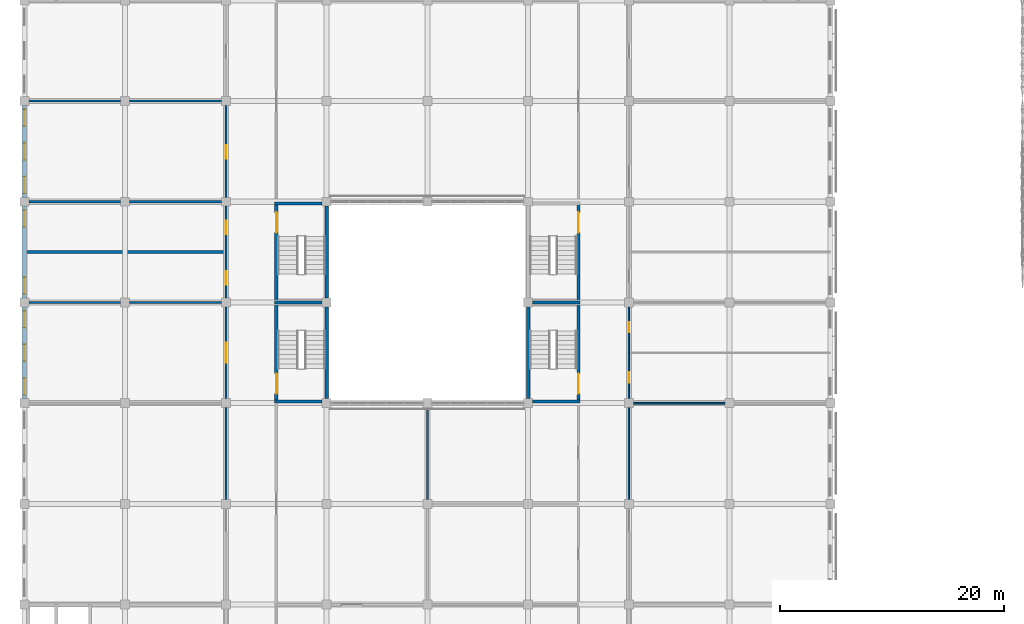
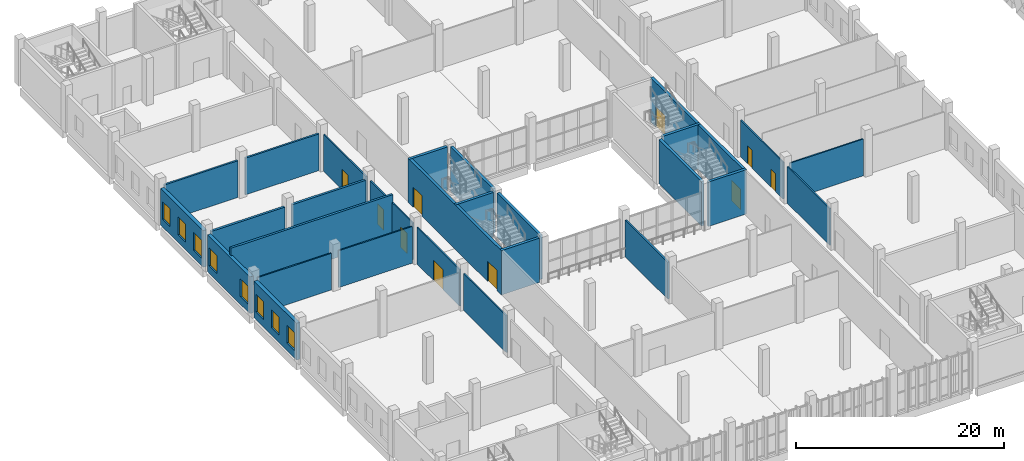
# One storey, part 106 of 185: 28 walls, 10 doors, 8 windows, 18 openings.
"""IFC4 building model written with IfcOpenShell, lengths in metres."""

from ifc_helpers import new_model, si_unit, direction, frame, frame_2d, origin, place, context, subcontext, project, spatial, rectangle, extrude, material, layer, layer_set, type_object, element, fill, save


model = new_model("IFC4")

# Units and contexts
model_context = context("Model", 3, precision=1e-05, world=origin(), true_north=direction((0.0, 1.0)))
body_context = subcontext(model_context, "Body", "Model", "MODEL_VIEW")
ifc_project = project(units=[si_unit("LENGTHUNIT", "METRE"), si_unit("AREAUNIT", "SQUARE_METRE"), si_unit("VOLUMEUNIT", "CUBIC_METRE"), si_unit("PLANEANGLEUNIT", "RADIAN"), si_unit("MASSUNIT", "GRAM", prefix="KILO")], contexts=[model_context])

# Site, building, storey
site_placement = place(None, origin())
site = spatial("IfcSite", under=ifc_project, at=site_placement, CompositionType="ELEMENT")
building_placement = place(site_placement, origin())
building = spatial("IfcBuilding", under=site, at=building_placement, Name="Opaline Strait Convention Centre", CompositionType="ELEMENT")
storey_placement = place(building_placement, frame((0.0, 0.0, 6.0)))
storey = spatial("IfcBuildingStorey", under=building, at=storey_placement, Name="L01", CompositionType="ELEMENT", Elevation=6.0)

# Walls
ifc_material_1 = material(Name="Gypsum board on metal studs with mineral wool")
ifc_layer_1 = layer(ifc_material_1, 0.25)
ifc_layer_set_1 = layer_set([ifc_layer_1], Name="Gypsum board on metal studs with mineral wool")
wall_type_1 = type_object("IfcWallType", Name="Acoustic partition 250", PredefinedType="PARTITIONING", material=ifc_layer_set_1)
wall_1_placement = place(storey_placement, frame((9.0, 58.5, 0.0), z_axis=(0.0, 0.0, 1.0), x_axis=(1.0, 0.0, 0.0)))
element("IfcWall", 1, at=wall_1_placement, inside=storey, type_object=wall_type_1, Name="L01 partition", PredefinedType="PARTITIONING", context=body_context, shape_type="SweptSolid", body=[
    extrude(rectangle(XDim=18.0, YDim=0.25, at=frame_2d((9.0, 0.0))), origin(), (0.0, 0.0, 1.0), 5.219970703125),
])
for number, where, z_axis, x_axis, name in (
    (2, (9.39990234375, 63.0, 0.0), (0.0, 0.0, 1.0), (1.0, 0.0, 0.0), "L01 partition"),
    (3, (18.39990234375, 63.0, 0.0), (0.0, 0.0, 1.0), (1.0, 0.0, 0.0), "L01 partition"),
):
    element("IfcWall", number, at=place(storey_placement, frame(where, z_axis=z_axis, x_axis=x_axis)), inside=storey, type_object=wall_type_1, Name=name, PredefinedType="PARTITIONING", context=body_context, shape_type="SweptSolid", body=[
        extrude(rectangle(XDim=8.2001953125, YDim=0.25, at=frame_2d((4.10009765625, 0.0))), origin(), (0.0, 0.0, 1.0), 4.320068359375),
    ])
ifc_layer_2 = layer(ifc_material_1, 0.199951171875)
ifc_layer_set_2 = layer_set([ifc_layer_2], Name="Gypsum board on metal studs with mineral wool")
wall_type_2 = type_object("IfcWallType", Name="Fire partition 200", PredefinedType="PARTITIONING", material=ifc_layer_set_2)
for number, where, z_axis, x_axis, name in (
    (4, (9.39990234375, 72.0, 0.0), (0.0, 0.0, 1.0), (1.0, 0.0, 0.0), "L01 partition"),
    (5, (18.39990234375, 72.0, 0.0), (0.0, 0.0, 1.0), (1.0, 0.0, 0.0), "L01 partition"),
    (6, (45.0, 36.39990234375, 0.0), (0.0, 0.0, 1.0), (0.0, 1.0, 0.0), "L01 partition"),
):
    element("IfcWall", number, at=place(storey_placement, frame(where, z_axis=z_axis, x_axis=x_axis)), inside=storey, type_object=wall_type_2, Name=name, PredefinedType="PARTITIONING", context=body_context, shape_type="SweptSolid", body=[
        extrude(rectangle(XDim=8.2001953125, YDim=0.199951171875, at=frame_2d((4.10009765625, 0.0))), origin(), (0.0, 0.0, 1.0), 4.320068359375),
    ])
ifc_layer_3 = layer(ifc_material_1, 0.14990234375)
ifc_layer_set_3 = layer_set([ifc_layer_3], Name="Gypsum board on metal studs with mineral wool")
wall_type_3 = type_object("IfcWallType", Name="Partition 150", PredefinedType="PARTITIONING", material=ifc_layer_set_3)
for number, where, z_axis, x_axis, name in (
    (7, (63.39990234375, 45.0, 0.0), (0.0, 0.0, 1.0), (1.0, 0.0, 0.0), "L01 partition"),
    (8, (9.39990234375, 54.0, 0.0), (0.0, 0.0, 1.0), (1.0, 0.0, 0.0), "L01 partition"),
    (9, (18.39990234375, 54.0, 0.0), (0.0, 0.0, 1.0), (1.0, 0.0, 0.0), "L01 partition"),
    (10, (27.0, 36.39990234375, 0.0), (0.0, 0.0, 1.0), (0.0, 1.0, 0.0), "L01 partition"),
):
    element("IfcWall", number, at=place(storey_placement, frame(where, z_axis=z_axis, x_axis=x_axis)), inside=storey, type_object=wall_type_3, Name=name, PredefinedType="PARTITIONING", context=body_context, shape_type="SweptSolid", body=[
        extrude(rectangle(XDim=8.2001953125, YDim=0.14990234375, at=frame_2d((4.10009765625, 0.0))), origin(), (0.0, 0.0, 1.0), 4.320068359375),
    ])

# Wall, opening, door
wall_2_placement = place(storey_placement, frame((27.0, 45.39990234375, 0.0), z_axis=(0.0, 0.0, 1.0), x_axis=(0.0, 1.0, 0.0)))
wall_2 = element("IfcWall", 11, at=wall_2_placement, inside=storey, type_object=wall_type_3, Name="L01 partition", PredefinedType="PARTITIONING", context=body_context, shape_type="SweptSolid", body=[
    extrude(rectangle(XDim=8.2001953125, YDim=0.14990234375, at=frame_2d((4.10009765625, 0.0))), origin(), (0.0, 0.0, 1.0), 4.320068359375),
])
opening_1_placement = place(wall_2_placement, frame((3.199951171875, 0.0, 0.0)))
opening_1 = element("IfcOpeningElement", 12, at=opening_1_placement, cuts=wall_2, Name="Opening R1-038", PredefinedType="OPENING", context=body_context, shape_type="SweptSolid", body=[
    extrude(rectangle(XDim=1.800048828125, YDim=2.39990234375, at=frame_2d((0.89990234375, 1.199951171875))), frame((0.0, 0.0849609375, 0.0), z_axis=(0.0, -1.0, 0.0), x_axis=(1.0, 0.0, 0.0)), (0.0, 0.0, 1.0), 0.169921875),
])
ifc_material_2 = material(Name="Timber door leaves in steel frame", Category="steel")
door_type_1 = type_object("IfcDoorType", Name="Door 1800x2400 double FD30", OperationType="DOUBLE_DOOR_SINGLE_SWING", PredefinedType="DOOR", material=ifc_material_2)
door_1_placement = place(opening_1_placement, frame((1.800048828125, 0.0, 0.0), z_axis=(0.0, 0.0, 1.0), x_axis=(-1.0, 0.0, 0.0)))
door_1 = element("IfcDoor", 13, at=door_1_placement, inside=storey, type_object=door_type_1, Name="Private Dining Suite door R1-038", ObjectType="RD2", OperationType="DOUBLE_DOOR_SINGLE_SWING", OverallHeight=2.39990234375, OverallWidth=1.800048828125, PredefinedType="DOOR", context=body_context, shape_type="SweptSolid", body=[
    extrude(rectangle(XDim=1.800048828125, YDim=2.39990234375, at=frame_2d((0.89990234375, 1.199951171875))), frame((0.0, 0.02490234375, 0.0), z_axis=(0.0, -1.0, 0.0), x_axis=(1.0, 0.0, 0.0)), (0.0, 0.0, 1.0), 0.050048828125),
])
fill(opening_1, door_1)

# Wall, openings, doors
wall_3_placement = place(storey_placement, frame((27.0, 54.39990234375, 0.0), z_axis=(0.0, 0.0, 1.0), x_axis=(0.0, 1.0, 0.0)))
wall_3 = element("IfcWall", 14, at=wall_3_placement, inside=storey, type_object=wall_type_3, Name="L01 partition", PredefinedType="PARTITIONING", context=body_context, shape_type="SweptSolid", body=[
    extrude(rectangle(XDim=8.2001953125, YDim=0.14990234375, at=frame_2d((4.10009765625, 0.0))), origin(), (0.0, 0.0, 1.0), 4.320068359375),
])
opening_2_placement = place(wall_3_placement, frame((1.199951171875, 0.0, 0.0)))
opening_2 = element("IfcOpeningElement", 15, at=opening_2_placement, cuts=wall_3, Name="Opening R1-039", PredefinedType="OPENING", context=body_context, shape_type="SweptSolid", body=[
    extrude(rectangle(XDim=1.199951171875, YDim=2.39990234375, at=frame_2d((0.60009765625, 1.199951171875))), frame((0.0, 0.0849609375, 0.0), z_axis=(0.0, -1.0, 0.0), x_axis=(1.0, 0.0, 0.0)), (0.0, 0.0, 1.0), 0.169921875),
])
opening_3_placement = place(wall_3_placement, frame((5.699951171875, 0.0, 0.0)))
opening_3 = element("IfcOpeningElement", 16, at=opening_3_placement, cuts=wall_3, Name="Opening R1-040", PredefinedType="OPENING", context=body_context, shape_type="SweptSolid", body=[
    extrude(rectangle(XDim=1.199951171875, YDim=2.39990234375, at=frame_2d((0.60009765625, 1.199951171875))), frame((0.0, 0.0849609375, 0.0), z_axis=(0.0, -1.0, 0.0), x_axis=(1.0, 0.0, 0.0)), (0.0, 0.0, 1.0), 0.169921875),
])
ifc_material_3 = material(Name="Timber door leaf in steel frame", Category="steel")
door_type_2 = type_object("IfcDoorType", Name="Meeting room door 1200x2400 FD30", OperationType="SINGLE_SWING_LEFT", PredefinedType="DOOR", material=ifc_material_3)
door_2_placement = place(opening_2_placement, origin())
door_2 = element("IfcDoor", 17, at=door_2_placement, inside=storey, type_object=door_type_2, Name="Translation Booths door R1-039", ObjectType="RD14", OperationType="SINGLE_SWING_LEFT", OverallHeight=2.39990234375, OverallWidth=1.199951171875, PredefinedType="DOOR", context=body_context, shape_type="SweptSolid", body=[
    extrude(rectangle(XDim=1.199951171875, YDim=2.39990234375, at=frame_2d((0.60009765625, 1.199951171875))), frame((0.0, 0.02490234375, 0.0), z_axis=(0.0, -1.0, 0.0), x_axis=(1.0, 0.0, 0.0)), (0.0, 0.0, 1.0), 0.050048828125),
])
fill(opening_2, door_2)
door_3_placement = place(opening_3_placement, origin())
door_3 = element("IfcDoor", 18, at=door_3_placement, inside=storey, type_object=door_type_2, Name="Interpreter Briefing Room door R1-040", ObjectType="RD14", OperationType="SINGLE_SWING_LEFT", OverallHeight=2.39990234375, OverallWidth=1.199951171875, PredefinedType="DOOR", context=body_context, shape_type="SweptSolid", body=[
    extrude(rectangle(XDim=1.199951171875, YDim=2.39990234375, at=frame_2d((0.60009765625, 1.199951171875))), frame((0.0, 0.02490234375, 0.0), z_axis=(0.0, -1.0, 0.0), x_axis=(1.0, 0.0, 0.0)), (0.0, 0.0, 1.0), 0.050048828125),
])
fill(opening_3, door_3)

# Wall, opening, door
wall_4_placement = place(storey_placement, frame((27.0, 63.39990234375, 0.0), z_axis=(0.0, 0.0, 1.0), x_axis=(0.0, 1.0, 0.0)))
wall_4 = element("IfcWall", 19, at=wall_4_placement, inside=storey, type_object=wall_type_3, Name="L01 partition", PredefinedType="PARTITIONING", context=body_context, shape_type="SweptSolid", body=[
    extrude(rectangle(XDim=8.2001953125, YDim=0.14990234375, at=frame_2d((4.10009765625, 0.0))), origin(), (0.0, 0.0, 1.0), 4.320068359375),
])
opening_4_placement = place(wall_4_placement, frame((3.449951171875, 0.0, 0.0)))
opening_4 = element("IfcOpeningElement", 20, at=opening_4_placement, cuts=wall_4, Name="Opening R1-041", PredefinedType="OPENING", context=body_context, shape_type="SweptSolid", body=[
    extrude(rectangle(XDim=1.199951171875, YDim=2.39990234375, at=frame_2d((0.60009765625, 1.199951171875))), frame((0.0, 0.0849609375, 0.0), z_axis=(0.0, -1.0, 0.0), x_axis=(1.0, 0.0, 0.0)), (0.0, 0.0, 1.0), 0.169921875),
])
door_4_placement = place(opening_4_placement, frame((1.199951171875, 0.0, 0.0), z_axis=(0.0, 0.0, 1.0), x_axis=(-1.0, 0.0, 0.0)))
door_4 = element("IfcDoor", 21, at=door_4_placement, inside=storey, type_object=door_type_2, Name="Meeting Room 1.01 door R1-041", ObjectType="RD14", OperationType="SINGLE_SWING_LEFT", OverallHeight=2.39990234375, OverallWidth=1.199951171875, PredefinedType="DOOR", context=body_context, shape_type="SweptSolid", body=[
    extrude(rectangle(XDim=1.199951171875, YDim=2.39990234375, at=frame_2d((0.60009765625, 1.199951171875))), frame((0.0, 0.02490234375, 0.0), z_axis=(0.0, -1.0, 0.0), x_axis=(1.0, 0.0, 0.0)), (0.0, 0.0, 1.0), 0.050048828125),
])
fill(opening_4, door_4)

# Wall
wall_5_placement = place(storey_placement, frame((63.0, 36.39990234375, 0.0), z_axis=(0.0, 0.0, 1.0), x_axis=(0.0, 1.0, 0.0)))
element("IfcWall", 22, at=wall_5_placement, inside=storey, type_object=wall_type_3, Name="L01 partition", PredefinedType="PARTITIONING", context=body_context, shape_type="SweptSolid", body=[
    extrude(rectangle(XDim=8.2001953125, YDim=0.14990234375, at=frame_2d((4.10009765625, 0.0))), origin(), (0.0, 0.0, 1.0), 4.320068359375),
])

# Wall, openings, doors
wall_6_placement = place(storey_placement, frame((63.0, 45.39990234375, 0.0), z_axis=(0.0, 0.0, 1.0), x_axis=(0.0, 1.0, 0.0)))
wall_6 = element("IfcWall", 23, at=wall_6_placement, inside=storey, type_object=wall_type_3, Name="L01 partition", PredefinedType="PARTITIONING", context=body_context, shape_type="SweptSolid", body=[
    extrude(rectangle(XDim=8.2001953125, YDim=0.14990234375, at=frame_2d((4.10009765625, 0.0))), origin(), (0.0, 0.0, 1.0), 4.320068359375),
])
opening_5_placement = place(wall_6_placement, frame((1.449951171875, 0.0, 0.0)))
opening_5 = element("IfcOpeningElement", 24, at=opening_5_placement, cuts=wall_6, Name="Opening R1-044", PredefinedType="OPENING", context=body_context, shape_type="SweptSolid", body=[
    extrude(rectangle(XDim=0.89990234375, YDim=2.10009765625, at=frame_2d((0.449951171875, 1.050048828125))), frame((0.0, 0.0849609375, 0.0), z_axis=(0.0, -1.0, 0.0), x_axis=(1.0, 0.0, 0.0)), (0.0, 0.0, 1.0), 0.169921875),
])
opening_6_placement = place(wall_6_placement, frame((5.949951171875, 0.0, 0.0)))
opening_6 = element("IfcOpeningElement", 25, at=opening_6_placement, cuts=wall_6, Name="Opening R1-045", PredefinedType="OPENING", context=body_context, shape_type="SweptSolid", body=[
    extrude(rectangle(XDim=0.89990234375, YDim=2.10009765625, at=frame_2d((0.449951171875, 1.050048828125))), frame((0.0, 0.0849609375, 0.0), z_axis=(0.0, -1.0, 0.0), x_axis=(1.0, 0.0, 0.0)), (0.0, 0.0, 1.0), 0.169921875),
])
door_type_3 = type_object("IfcDoorType", Name="Toilet door 900x2100 FD30", OperationType="SINGLE_SWING_LEFT", PredefinedType="DOOR", material=ifc_material_3)
door_5_placement = place(opening_5_placement, frame((0.89990234375, 0.0, 0.0), z_axis=(0.0, 0.0, 1.0), x_axis=(-1.0, 0.0, 0.0)))
door_5 = element("IfcDoor", 26, at=door_5_placement, inside=storey, type_object=door_type_3, Name="Public Toilets Men door R1-044", ObjectType="RD11", OperationType="SINGLE_SWING_LEFT", OverallHeight=2.10009765625, OverallWidth=0.89990234375, PredefinedType="DOOR", context=body_context, shape_type="SweptSolid", body=[
    extrude(rectangle(XDim=0.89990234375, YDim=2.10009765625, at=frame_2d((0.449951171875, 1.050048828125))), frame((0.0, 0.02490234375, 0.0), z_axis=(0.0, -1.0, 0.0), x_axis=(1.0, 0.0, 0.0)), (0.0, 0.0, 1.0), 0.050048828125),
])
fill(opening_5, door_5)
door_6_placement = place(opening_6_placement, frame((0.89990234375, 0.0, 0.0), z_axis=(0.0, 0.0, 1.0), x_axis=(-1.0, 0.0, 0.0)))
door_6 = element("IfcDoor", 27, at=door_6_placement, inside=storey, type_object=door_type_3, Name="Public Toilets Women door R1-045", ObjectType="RD11", OperationType="SINGLE_SWING_LEFT", OverallHeight=2.10009765625, OverallWidth=0.89990234375, PredefinedType="DOOR", context=body_context, shape_type="SweptSolid", body=[
    extrude(rectangle(XDim=0.89990234375, YDim=2.10009765625, at=frame_2d((0.449951171875, 1.050048828125))), frame((0.0, 0.02490234375, 0.0), z_axis=(0.0, -1.0, 0.0), x_axis=(1.0, 0.0, 0.0)), (0.0, 0.0, 1.0), 0.050048828125),
])
fill(opening_6, door_6)

ifc_material_4 = material(Name="Concrete C40", Category="concrete")
ifc_layer_4 = layer(ifc_material_4, 0.300048828125)
ifc_layer_set_4 = layer_set([ifc_layer_4], Name="Concrete C40")
wall_type_4 = type_object("IfcWallType", Name="RC wall 300 C40", PredefinedType="SOLIDWALL", material=ifc_layer_set_4)
wall_7_placement = place(storey_placement, frame((58.5, 45.0, 0.0), z_axis=(0.0, 0.0, 1.0), x_axis=(0.0, 1.0, 0.0)))
wall_7 = element("IfcWall", 28, at=wall_7_placement, inside=storey, type_object=wall_type_4, Name="ME core SPINE wall", PredefinedType="SOLIDWALL", context=body_context, shape_type="SweptSolid", body=[
    extrude(rectangle(XDim=18.0, YDim=0.300048828125, at=frame_2d((9.0, 0.0))), origin(), (0.0, 0.0, 1.0), 5.219970703125),
])
opening_7_placement = place(wall_7_placement, frame((0.85009765625, 0.0, 0.0)))
opening_7 = element("IfcOpeningElement", 29, at=opening_7_placement, cuts=wall_7, Name="Opening R1-023", PredefinedType="OPENING", context=body_context, shape_type="SweptSolid", body=[
    extrude(rectangle(XDim=1.800048828125, YDim=2.39990234375, at=frame_2d((0.89990234375, 1.199951171875))), frame((0.0, 0.159912109375, 0.0), z_axis=(0.0, -1.0, 0.0), x_axis=(1.0, 0.0, 0.0)), (0.0, 0.0, 1.0), 0.320068359375),
])
opening_8_placement = place(wall_7_placement, frame((15.25, 0.0, 0.0)))
opening_8 = element("IfcOpeningElement", 30, at=opening_8_placement, cuts=wall_7, Name="Opening R1-024", PredefinedType="OPENING", context=body_context, shape_type="SweptSolid", body=[
    extrude(rectangle(XDim=1.800048828125, YDim=2.39990234375, at=frame_2d((0.89990234375, 1.199951171875))), frame((0.0, 0.159912109375, 0.0), z_axis=(0.0, -1.0, 0.0), x_axis=(1.0, 0.0, 0.0)), (0.0, 0.0, 1.0), 0.320068359375),
])
door_type_4 = type_object("IfcDoorType", Name="Stair door 1800x2400 double FD60", OperationType="DOUBLE_DOOR_SINGLE_SWING", PredefinedType="DOOR", material=ifc_material_2)
door_7_placement = place(opening_7_placement, frame((1.800048828125, 0.0, 0.0), z_axis=(0.0, 0.0, 1.0), x_axis=(-1.0, 0.0, 0.0)))
door_7 = element("IfcDoor", 31, at=door_7_placement, inside=storey, type_object=door_type_4, Name="Stair door ME R1-023", ObjectType="RD7", OperationType="DOUBLE_DOOR_SINGLE_SWING", OverallHeight=2.39990234375, OverallWidth=1.800048828125, PredefinedType="DOOR", context=body_context, shape_type="SweptSolid", body=[
    extrude(rectangle(XDim=1.800048828125, YDim=2.39990234375, at=frame_2d((0.89990234375, 1.199951171875))), frame((0.0, 0.02490234375, 0.0), z_axis=(0.0, -1.0, 0.0), x_axis=(1.0, 0.0, 0.0)), (0.0, 0.0, 1.0), 0.050048828125),
])
fill(opening_7, door_7)
door_8_placement = place(opening_8_placement, frame((1.800048828125, 0.0, 0.0), z_axis=(0.0, 0.0, 1.0), x_axis=(-1.0, 0.0, 0.0)))
door_8 = element("IfcDoor", 32, at=door_8_placement, inside=storey, type_object=door_type_4, Name="Stair door ME R1-024", ObjectType="RD7", OperationType="DOUBLE_DOOR_SINGLE_SWING", OverallHeight=2.39990234375, OverallWidth=1.800048828125, PredefinedType="DOOR", context=body_context, shape_type="SweptSolid", body=[
    extrude(rectangle(XDim=1.800048828125, YDim=2.39990234375, at=frame_2d((0.89990234375, 1.199951171875))), frame((0.0, 0.02490234375, 0.0), z_axis=(0.0, -1.0, 0.0), x_axis=(1.0, 0.0, 0.0)), (0.0, 0.0, 1.0), 0.050048828125),
])
fill(opening_8, door_8)

# Walls
wall_8_placement = place(storey_placement, frame((54.0, 45.39990234375, 0.0), z_axis=(0.0, 0.0, 1.0), x_axis=(0.0, 1.0, 0.0)))
element("IfcWall", 33, at=wall_8_placement, inside=storey, type_object=wall_type_4, Name="ME core COURT wall", PredefinedType="SOLIDWALL", context=body_context, shape_type="SweptSolid", body=[
    extrude(rectangle(XDim=8.2001953125, YDim=0.300048828125, at=frame_2d((4.10009765625, 0.0))), origin(), (0.0, 0.0, 1.0), 5.219970703125),
])
for number, where, z_axis, x_axis, name in (
    (34, (54.39990234375, 45.14990234375, 0.0), (0.0, 0.0, 1.0), (1.0, 0.0, 0.0), "ME core S wall"),
    (35, (54.39990234375, 54.0, 0.0), (0.0, 0.0, 1.0), (1.0, 0.0, 0.0), "ME core MID wall"),
):
    element("IfcWall", number, at=place(storey_placement, frame(where, z_axis=z_axis, x_axis=x_axis)), inside=storey, type_object=wall_type_4, Name=name, PredefinedType="SOLIDWALL", context=body_context, shape_type="SweptSolid", body=[
        extrude(rectangle(XDim=4.25, YDim=0.300048828125, at=frame_2d((2.125, 0.0))), origin(), (0.0, 0.0, 1.0), 5.219970703125),
    ])

# Wall, openings, doors
wall_9_placement = place(storey_placement, frame((31.5, 45.0, 0.0), z_axis=(0.0, 0.0, 1.0), x_axis=(0.0, 1.0, 0.0)))
wall_9 = element("IfcWall", 36, at=wall_9_placement, inside=storey, type_object=wall_type_4, Name="MW core SPINE wall", PredefinedType="SOLIDWALL", context=body_context, shape_type="SweptSolid", body=[
    extrude(rectangle(XDim=18.0, YDim=0.300048828125, at=frame_2d((9.0, 0.0))), origin(), (0.0, 0.0, 1.0), 5.219970703125),
])
opening_9_placement = place(wall_9_placement, frame((0.85009765625, 0.0, 0.0)))
opening_9 = element("IfcOpeningElement", 37, at=opening_9_placement, cuts=wall_9, Name="Opening R1-025", PredefinedType="OPENING", context=body_context, shape_type="SweptSolid", body=[
    extrude(rectangle(XDim=1.800048828125, YDim=2.39990234375, at=frame_2d((0.89990234375, 1.199951171875))), frame((0.0, 0.159912109375, 0.0), z_axis=(0.0, -1.0, 0.0), x_axis=(1.0, 0.0, 0.0)), (0.0, 0.0, 1.0), 0.320068359375),
])
opening_10_placement = place(wall_9_placement, frame((15.25, 0.0, 0.0)))
opening_10 = element("IfcOpeningElement", 38, at=opening_10_placement, cuts=wall_9, Name="Opening R1-026", PredefinedType="OPENING", context=body_context, shape_type="SweptSolid", body=[
    extrude(rectangle(XDim=1.800048828125, YDim=2.39990234375, at=frame_2d((0.89990234375, 1.199951171875))), frame((0.0, 0.159912109375, 0.0), z_axis=(0.0, -1.0, 0.0), x_axis=(1.0, 0.0, 0.0)), (0.0, 0.0, 1.0), 0.320068359375),
])
door_9_placement = place(opening_9_placement, origin())
door_9 = element("IfcDoor", 39, at=door_9_placement, inside=storey, type_object=door_type_4, Name="Stair door MW R1-025", ObjectType="RD7", OperationType="DOUBLE_DOOR_SINGLE_SWING", OverallHeight=2.39990234375, OverallWidth=1.800048828125, PredefinedType="DOOR", context=body_context, shape_type="SweptSolid", body=[
    extrude(rectangle(XDim=1.800048828125, YDim=2.39990234375, at=frame_2d((0.89990234375, 1.199951171875))), frame((0.0, 0.02490234375, 0.0), z_axis=(0.0, -1.0, 0.0), x_axis=(1.0, 0.0, 0.0)), (0.0, 0.0, 1.0), 0.050048828125),
])
fill(opening_9, door_9)
door_10_placement = place(opening_10_placement, origin())
door_10 = element("IfcDoor", 40, at=door_10_placement, inside=storey, type_object=door_type_4, Name="Stair door MW R1-026", ObjectType="RD7", OperationType="DOUBLE_DOOR_SINGLE_SWING", OverallHeight=2.39990234375, OverallWidth=1.800048828125, PredefinedType="DOOR", context=body_context, shape_type="SweptSolid", body=[
    extrude(rectangle(XDim=1.800048828125, YDim=2.39990234375, at=frame_2d((0.89990234375, 1.199951171875))), frame((0.0, 0.02490234375, 0.0), z_axis=(0.0, -1.0, 0.0), x_axis=(1.0, 0.0, 0.0)), (0.0, 0.0, 1.0), 0.050048828125),
])
fill(opening_10, door_10)

# Walls
for number, where, z_axis, x_axis, name in (
    (41, (36.0, 45.39990234375, 0.0), (0.0, 0.0, 1.0), (0.0, 1.0, 0.0), "MW core COURT wall"),
    (42, (36.0, 54.39990234375, 0.0), (0.0, 0.0, 1.0), (0.0, 1.0, 0.0), "MW core COURT wall"),
):
    element("IfcWall", number, at=place(storey_placement, frame(where, z_axis=z_axis, x_axis=x_axis)), inside=storey, type_object=wall_type_4, Name=name, PredefinedType="SOLIDWALL", context=body_context, shape_type="SweptSolid", body=[
        extrude(rectangle(XDim=8.2001953125, YDim=0.300048828125, at=frame_2d((4.10009765625, 0.0))), origin(), (0.0, 0.0, 1.0), 5.219970703125),
    ])
for number, where, z_axis, x_axis, name in (
    (43, (31.35009765625, 45.14990234375, 0.0), (0.0, 0.0, 1.0), (1.0, 0.0, 0.0), "MW core S wall"),
    (44, (31.35009765625, 54.0, 0.0), (0.0, 0.0, 1.0), (1.0, 0.0, 0.0), "MW core MID wall"),
    (45, (31.35009765625, 62.85009765625, 0.0), (0.0, 0.0, 1.0), (1.0, 0.0, 0.0), "MW core N wall"),
):
    element("IfcWall", number, at=place(storey_placement, frame(where, z_axis=z_axis, x_axis=x_axis)), inside=storey, type_object=wall_type_4, Name=name, PredefinedType="SOLIDWALL", context=body_context, shape_type="SweptSolid", body=[
        extrude(rectangle(XDim=4.25, YDim=0.300048828125, at=frame_2d((2.125, 0.0))), origin(), (0.0, 0.0, 1.0), 5.219970703125),
    ])

# Wall, openings, windows
ifc_layer_5 = layer(ifc_material_4, 0.320068359375)
ifc_material_5 = material(Name="Mineral wool insulation")
ifc_layer_6 = layer(ifc_material_5, 0.050048828125)
ifc_material_6 = material(Name="Gypsum board lining")
ifc_layer_7 = layer(ifc_material_6, 0.030029296875)
ifc_layer_set_5 = layer_set([ifc_layer_5, ifc_layer_6, ifc_layer_7], Name="Concrete C40, Mineral wool insulation, Gypsum board lining")
wall_type_5 = type_object("IfcWallType", Name="RC wall 400 C40", PredefinedType="SOLIDWALL", material=ifc_layer_set_5)
wall_10_placement = place(storey_placement, frame((9.0, 45.39990234375, 0.0), z_axis=(0.0, 0.0, 1.0), x_axis=(0.0, 1.0, 0.0)))
wall_10 = element("IfcWall", 46, at=wall_10_placement, inside=storey, type_object=wall_type_5, Name="L01 W external wall 5", PredefinedType="SOLIDWALL", context=body_context, shape_type="SweptSolid", body=[
    extrude(rectangle(XDim=8.2001953125, YDim=0.39990234375, at=frame_2d((4.10009765625, 0.0))), origin(), (0.0, 0.0, 1.0), 4.320068359375),
])
opening_11_placement = place(wall_10_placement, frame((0.35009765625, 0.0, 0.89990234375)))
opening_11 = element("IfcOpeningElement", 47, at=opening_11_placement, cuts=wall_10, Name="Opening RWN1", PredefinedType="OPENING", context=body_context, shape_type="SweptSolid", body=[
    extrude(rectangle(XDim=1.5, YDim=2.10009765625, at=frame_2d((0.75, 1.050048828125))), frame((0.0, 0.2099609375, 0.0), z_axis=(0.0, -1.0, 0.0), x_axis=(1.0, 0.0, 0.0)), (0.0, 0.0, 1.0), 0.419921875),
])
opening_12_placement = place(wall_10_placement, frame((3.35009765625, 0.0, 0.89990234375)))
opening_12 = element("IfcOpeningElement", 48, at=opening_12_placement, cuts=wall_10, Name="Opening RWN1", PredefinedType="OPENING", context=body_context, shape_type="SweptSolid", body=[
    extrude(rectangle(XDim=1.5, YDim=2.10009765625, at=frame_2d((0.75, 1.050048828125))), frame((0.0, 0.2099609375, 0.0), z_axis=(0.0, -1.0, 0.0), x_axis=(1.0, 0.0, 0.0)), (0.0, 0.0, 1.0), 0.419921875),
])
opening_13_placement = place(wall_10_placement, frame((6.35009765625, 0.0, 0.89990234375)))
opening_13 = element("IfcOpeningElement", 49, at=opening_13_placement, cuts=wall_10, Name="Opening RWN1", PredefinedType="OPENING", context=body_context, shape_type="SweptSolid", body=[
    extrude(rectangle(XDim=1.5, YDim=2.10009765625, at=frame_2d((0.75, 1.050048828125))), frame((0.0, 0.2099609375, 0.0), z_axis=(0.0, -1.0, 0.0), x_axis=(1.0, 0.0, 0.0)), (0.0, 0.0, 1.0), 0.419921875),
])
ifc_material_7 = material(Name="Aluminium framed double glazing", Category="aluminium")
window_type = type_object("IfcWindowType", Name="Window 1500x2100 sill 900", PartitioningType="SINGLE_PANEL", PredefinedType="WINDOW", material=ifc_material_7)
window_1_placement = place(opening_11_placement, origin())
window_1 = element("IfcWindow", 50, at=window_1_placement, inside=storey, type_object=window_type, Name="Window L01-W5-W1", OverallHeight=2.10009765625, OverallWidth=1.5, PartitioningType="SINGLE_PANEL", PredefinedType="WINDOW", context=body_context, shape_type="SweptSolid", body=[
    extrude(rectangle(XDim=1.5, YDim=2.10009765625, at=frame_2d((0.75, 1.050048828125))), frame((0.0, 0.030029296875, 0.0), z_axis=(0.0, -1.0, 0.0), x_axis=(1.0, 0.0, 0.0)), (0.0, 0.0, 1.0), 0.06005859375),
])
fill(opening_11, window_1)
window_2_placement = place(opening_12_placement, origin())
window_2 = element("IfcWindow", 51, at=window_2_placement, inside=storey, type_object=window_type, Name="Window L01-W5-W2", OverallHeight=2.10009765625, OverallWidth=1.5, PartitioningType="SINGLE_PANEL", PredefinedType="WINDOW", context=body_context, shape_type="SweptSolid", body=[
    extrude(rectangle(XDim=1.5, YDim=2.10009765625, at=frame_2d((0.75, 1.050048828125))), frame((0.0, 0.030029296875, 0.0), z_axis=(0.0, -1.0, 0.0), x_axis=(1.0, 0.0, 0.0)), (0.0, 0.0, 1.0), 0.06005859375),
])
fill(opening_12, window_2)
window_3_placement = place(opening_13_placement, origin())
window_3 = element("IfcWindow", 52, at=window_3_placement, inside=storey, type_object=window_type, Name="Window L01-W5-W3", OverallHeight=2.10009765625, OverallWidth=1.5, PartitioningType="SINGLE_PANEL", PredefinedType="WINDOW", context=body_context, shape_type="SweptSolid", body=[
    extrude(rectangle(XDim=1.5, YDim=2.10009765625, at=frame_2d((0.75, 1.050048828125))), frame((0.0, 0.030029296875, 0.0), z_axis=(0.0, -1.0, 0.0), x_axis=(1.0, 0.0, 0.0)), (0.0, 0.0, 1.0), 0.06005859375),
])
fill(opening_13, window_3)

wall_11_placement = place(storey_placement, frame((9.0, 54.39990234375, 0.0), z_axis=(0.0, 0.0, 1.0), x_axis=(0.0, 1.0, 0.0)))
wall_11 = element("IfcWall", 53, at=wall_11_placement, inside=storey, type_object=wall_type_5, Name="L01 W external wall 6", PredefinedType="SOLIDWALL", context=body_context, shape_type="SweptSolid", body=[
    extrude(rectangle(XDim=8.2001953125, YDim=0.39990234375, at=frame_2d((4.10009765625, 0.0))), origin(), (0.0, 0.0, 1.0), 4.320068359375),
])
opening_14_placement = place(wall_11_placement, frame((0.35009765625, 0.0, 0.89990234375)))
opening_14 = element("IfcOpeningElement", 54, at=opening_14_placement, cuts=wall_11, Name="Opening RWN1", PredefinedType="OPENING", context=body_context, shape_type="SweptSolid", body=[
    extrude(rectangle(XDim=1.5, YDim=2.10009765625, at=frame_2d((0.75, 1.050048828125))), frame((0.0, 0.2099609375, 0.0), z_axis=(0.0, -1.0, 0.0), x_axis=(1.0, 0.0, 0.0)), (0.0, 0.0, 1.0), 0.419921875),
])
opening_15_placement = place(wall_11_placement, frame((6.35009765625, 0.0, 0.89990234375)))
opening_15 = element("IfcOpeningElement", 55, at=opening_15_placement, cuts=wall_11, Name="Opening RWN1", PredefinedType="OPENING", context=body_context, shape_type="SweptSolid", body=[
    extrude(rectangle(XDim=1.5, YDim=2.10009765625, at=frame_2d((0.75, 1.050048828125))), frame((0.0, 0.2099609375, 0.0), z_axis=(0.0, -1.0, 0.0), x_axis=(1.0, 0.0, 0.0)), (0.0, 0.0, 1.0), 0.419921875),
])
window_4_placement = place(opening_14_placement, origin())
window_4 = element("IfcWindow", 56, at=window_4_placement, inside=storey, type_object=window_type, Name="Window L01-W6-W1", OverallHeight=2.10009765625, OverallWidth=1.5, PartitioningType="SINGLE_PANEL", PredefinedType="WINDOW", context=body_context, shape_type="SweptSolid", body=[
    extrude(rectangle(XDim=1.5, YDim=2.10009765625, at=frame_2d((0.75, 1.050048828125))), frame((0.0, 0.030029296875, 0.0), z_axis=(0.0, -1.0, 0.0), x_axis=(1.0, 0.0, 0.0)), (0.0, 0.0, 1.0), 0.06005859375),
])
fill(opening_14, window_4)
window_5_placement = place(opening_15_placement, origin())
window_5 = element("IfcWindow", 57, at=window_5_placement, inside=storey, type_object=window_type, Name="Window L01-W6-W3", OverallHeight=2.10009765625, OverallWidth=1.5, PartitioningType="SINGLE_PANEL", PredefinedType="WINDOW", context=body_context, shape_type="SweptSolid", body=[
    extrude(rectangle(XDim=1.5, YDim=2.10009765625, at=frame_2d((0.75, 1.050048828125))), frame((0.0, 0.030029296875, 0.0), z_axis=(0.0, -1.0, 0.0), x_axis=(1.0, 0.0, 0.0)), (0.0, 0.0, 1.0), 0.06005859375),
])
fill(opening_15, window_5)

wall_12_placement = place(storey_placement, frame((9.0, 63.39990234375, 0.0), z_axis=(0.0, 0.0, 1.0), x_axis=(0.0, 1.0, 0.0)))
wall_12 = element("IfcWall", 58, at=wall_12_placement, inside=storey, type_object=wall_type_5, Name="L01 W external wall 7", PredefinedType="SOLIDWALL", context=body_context, shape_type="SweptSolid", body=[
    extrude(rectangle(XDim=8.2001953125, YDim=0.39990234375, at=frame_2d((4.10009765625, 0.0))), origin(), (0.0, 0.0, 1.0), 4.320068359375),
])
opening_16_placement = place(wall_12_placement, frame((0.35009765625, 0.0, 0.89990234375)))
opening_16 = element("IfcOpeningElement", 59, at=opening_16_placement, cuts=wall_12, Name="Opening RWN1", PredefinedType="OPENING", context=body_context, shape_type="SweptSolid", body=[
    extrude(rectangle(XDim=1.5, YDim=2.10009765625, at=frame_2d((0.75, 1.050048828125))), frame((0.0, 0.2099609375, 0.0), z_axis=(0.0, -1.0, 0.0), x_axis=(1.0, 0.0, 0.0)), (0.0, 0.0, 1.0), 0.419921875),
])
opening_17_placement = place(wall_12_placement, frame((3.35009765625, 0.0, 0.89990234375)))
opening_17 = element("IfcOpeningElement", 60, at=opening_17_placement, cuts=wall_12, Name="Opening RWN1", PredefinedType="OPENING", context=body_context, shape_type="SweptSolid", body=[
    extrude(rectangle(XDim=1.5, YDim=2.10009765625, at=frame_2d((0.75, 1.050048828125))), frame((0.0, 0.2099609375, 0.0), z_axis=(0.0, -1.0, 0.0), x_axis=(1.0, 0.0, 0.0)), (0.0, 0.0, 1.0), 0.419921875),
])
opening_18_placement = place(wall_12_placement, frame((6.35009765625, 0.0, 0.89990234375)))
opening_18 = element("IfcOpeningElement", 61, at=opening_18_placement, cuts=wall_12, Name="Opening RWN1", PredefinedType="OPENING", context=body_context, shape_type="SweptSolid", body=[
    extrude(rectangle(XDim=1.5, YDim=2.10009765625, at=frame_2d((0.75, 1.050048828125))), frame((0.0, 0.2099609375, 0.0), z_axis=(0.0, -1.0, 0.0), x_axis=(1.0, 0.0, 0.0)), (0.0, 0.0, 1.0), 0.419921875),
])
window_6_placement = place(opening_16_placement, origin())
window_6 = element("IfcWindow", 62, at=window_6_placement, inside=storey, type_object=window_type, Name="Window L01-W7-W1", OverallHeight=2.10009765625, OverallWidth=1.5, PartitioningType="SINGLE_PANEL", PredefinedType="WINDOW", context=body_context, shape_type="SweptSolid", body=[
    extrude(rectangle(XDim=1.5, YDim=2.10009765625, at=frame_2d((0.75, 1.050048828125))), frame((0.0, 0.030029296875, 0.0), z_axis=(0.0, -1.0, 0.0), x_axis=(1.0, 0.0, 0.0)), (0.0, 0.0, 1.0), 0.06005859375),
])
fill(opening_16, window_6)
window_7_placement = place(opening_17_placement, origin())
window_7 = element("IfcWindow", 63, at=window_7_placement, inside=storey, type_object=window_type, Name="Window L01-W7-W2", OverallHeight=2.10009765625, OverallWidth=1.5, PartitioningType="SINGLE_PANEL", PredefinedType="WINDOW", context=body_context, shape_type="SweptSolid", body=[
    extrude(rectangle(XDim=1.5, YDim=2.10009765625, at=frame_2d((0.75, 1.050048828125))), frame((0.0, 0.030029296875, 0.0), z_axis=(0.0, -1.0, 0.0), x_axis=(1.0, 0.0, 0.0)), (0.0, 0.0, 1.0), 0.06005859375),
])
fill(opening_17, window_7)
window_8_placement = place(opening_18_placement, origin())
window_8 = element("IfcWindow", 64, at=window_8_placement, inside=storey, type_object=window_type, Name="Window L01-W7-W3", OverallHeight=2.10009765625, OverallWidth=1.5, PartitioningType="SINGLE_PANEL", PredefinedType="WINDOW", context=body_context, shape_type="SweptSolid", body=[
    extrude(rectangle(XDim=1.5, YDim=2.10009765625, at=frame_2d((0.75, 1.050048828125))), frame((0.0, 0.030029296875, 0.0), z_axis=(0.0, -1.0, 0.0), x_axis=(1.0, 0.0, 0.0)), (0.0, 0.0, 1.0), 0.06005859375),
])
fill(opening_18, window_8)

save(model, "model.ifc")
